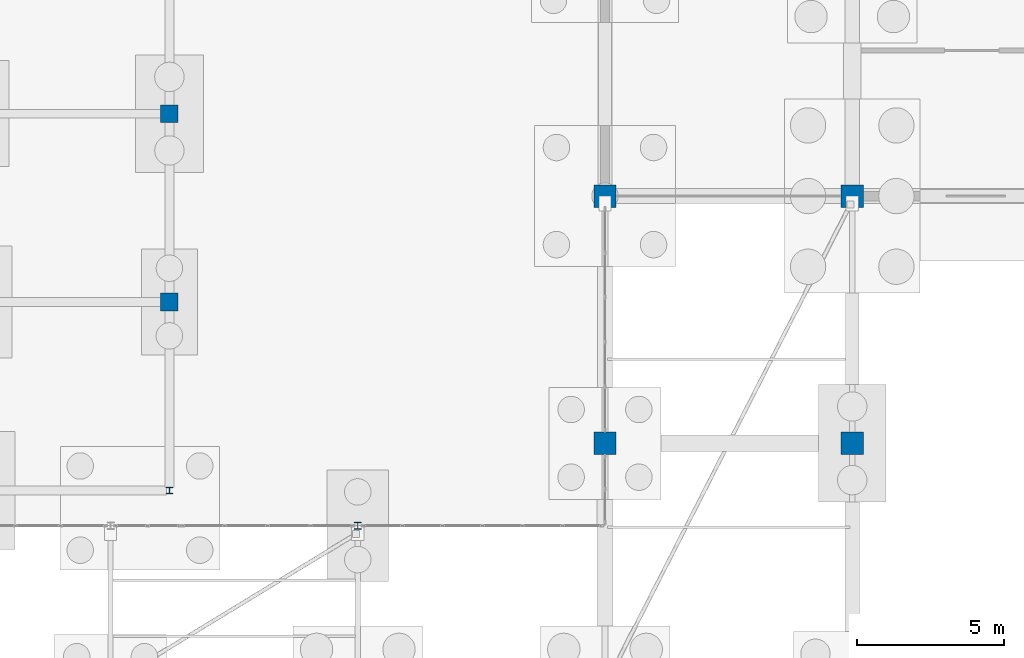
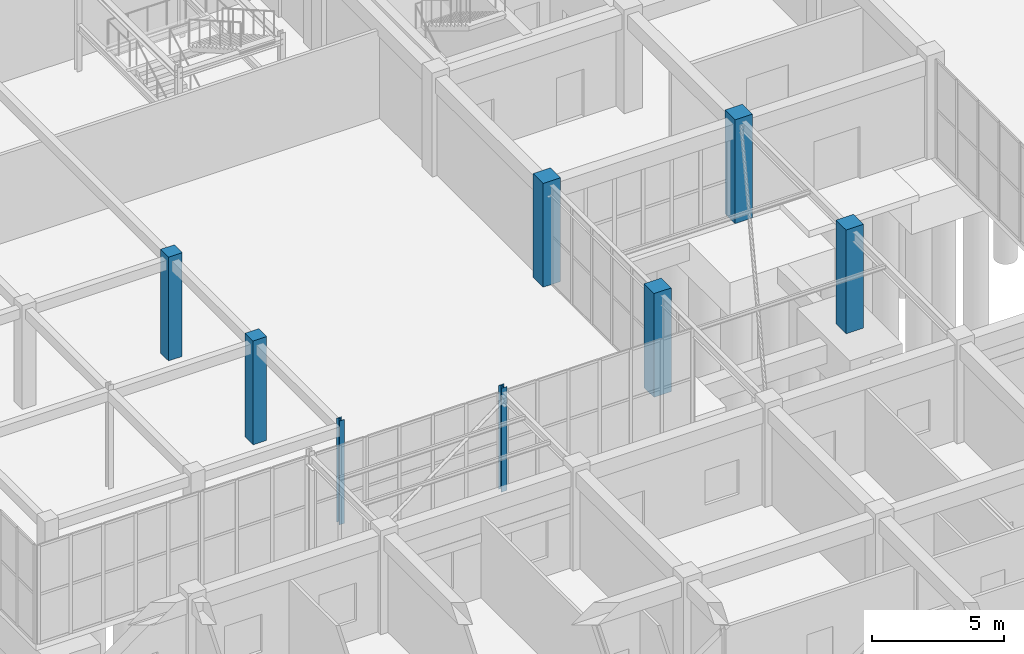
# One storey, part 24 of 192: 8 columns.
"""IFC4 building model written with IfcOpenShell, lengths in metres."""

from ifc_helpers import new_model, si_unit, direction, frame, origin, origin_2d, place, context, subcontext, project, spatial, rectangle, i_section, extrude, material, material_profile, profile_set, type_object, element, save


model = new_model("IFC4")

# Units and contexts
model_context = context("Model", 3, precision=1e-05, world=origin(), true_north=direction((0.0, 1.0)))
body_context = subcontext(model_context, "Body", "Model", "MODEL_VIEW")
ifc_project = project(units=[si_unit("LENGTHUNIT", "METRE"), si_unit("AREAUNIT", "SQUARE_METRE"), si_unit("VOLUMEUNIT", "CUBIC_METRE"), si_unit("PLANEANGLEUNIT", "RADIAN"), si_unit("MASSUNIT", "GRAM", prefix="KILO")], contexts=[model_context])

# Site, building, storey
site_placement = place(None, origin())
site = spatial("IfcSite", under=ifc_project, at=site_placement, CompositionType="ELEMENT")
building_placement = place(site_placement, origin())
building = spatial("IfcBuilding", under=site, at=building_placement, Name="Trelvath General Hospital", CompositionType="ELEMENT")
storey_placement = place(building_placement, origin())
storey = spatial("IfcBuildingStorey", under=building, at=storey_placement, Name="L00", CompositionType="ELEMENT", Elevation=0.0)

# Columns
ifc_material_1 = material(Name="Steel S355", Category="steel")
ifc_material_profile_1 = material_profile(ifc_material_1, i_section(OverallWidth=0.239990234375, OverallDepth=0.22998046875, WebThickness=0.007568359375, FlangeThickness=0.011962890625, at=origin_2d()), Name="HEA240")
ifc_profile_set_1 = profile_set([ifc_material_profile_1], Name="Steel S355")
column_type_1 = type_object("IfcColumnType", Name="BridgeColumn HEA240", PredefinedType="COLUMN", material=ifc_profile_set_1)
column_1_placement = place(storey_placement, frame((67.199951171875, 30.800048828125, 0.0), z_axis=(0.0, 0.0, 1.0), x_axis=(1.0, 0.0, 0.0)))
element("IfcColumn", 1, at=column_1_placement, inside=storey, type_object=column_type_1, Name="Bridge Portal Column BC-02 L00", PredefinedType="COLUMN", context=body_context, shape_type="SweptSolid", body=[
    extrude(i_section(OverallWidth=0.239990234375, OverallDepth=0.22998046875, WebThickness=0.007568359375, FlangeThickness=0.011962890625, at=origin_2d()), origin(), (0.0, 0.0, 1.0), 4.800048828125),
])
ifc_material_2 = material(Name="Concrete C40/50", Category="concrete")
ifc_material_profile_2 = material_profile(ifc_material_2, rectangle(XDim=0.60009765625, YDim=0.60009765625, at=origin_2d()), Name="RC600x600")
ifc_profile_set_2 = profile_set([ifc_material_profile_2], Name="Concrete C40/50")
column_type_2 = type_object("IfcColumnType", Name="Column RC600", PredefinedType="COLUMN", material=ifc_profile_set_2)
for number, where, z_axis, x_axis, name in (
    (2, (60.800048828125, 38.39990234375, 0.0), (0.0, 0.0, 1.0), (1.0, 0.0, 0.0), "Cube Interior Column CC-W37 L00"),
    (3, (60.800048828125, 44.800048828125, 0.0), (0.0, 0.0, 1.0), (1.0, 0.0, 0.0), "Cube Interior Column CC-W38 L00"),
):
    element("IfcColumn", number, at=place(storey_placement, frame(where, z_axis=z_axis, x_axis=x_axis)), inside=storey, type_object=column_type_2, Name=name, PredefinedType="COLUMN", context=body_context, shape_type="SweptSolid", body=[
        extrude(rectangle(XDim=0.60009765625, YDim=0.60009765625, at=origin_2d()), origin(), (0.0, 0.0, 1.0), 4.800048828125),
    ])
ifc_material_3 = material(Name="Concrete C40/50", Category="concrete")
ifc_material_profile_3 = material_profile(ifc_material_3, rectangle(XDim=0.760009765625, YDim=0.760009765625, at=origin_2d()), Name="RC760x760")
ifc_profile_set_3 = profile_set([ifc_material_profile_3], Name="Concrete C40/50")
column_type_3 = type_object("IfcColumnType", Name="Column RC760", PredefinedType="COLUMN", material=ifc_profile_set_3)
for number, where, z_axis, x_axis, name in (
    (4, (75.60009765625, 33.60009765625, 0.0), (0.0, 0.0, 1.0), (1.0, 0.0, 0.0), "Column C-10E L00"),
    (5, (75.60009765625, 42.0, 0.0), (0.0, 0.0, 1.0), (1.0, 0.0, 0.0), "Column C-10F L00"),
    (6, (84.0, 33.60009765625, 0.0), (0.0, 0.0, 1.0), (1.0, 0.0, 0.0), "Column C-11E L00"),
    (7, (84.0, 42.0, 0.0), (0.0, 0.0, 1.0), (1.0, 0.0, 0.0), "Column C-11F L00"),
):
    element("IfcColumn", number, at=place(storey_placement, frame(where, z_axis=z_axis, x_axis=x_axis)), inside=storey, type_object=column_type_3, Name=name, PredefinedType="COLUMN", context=body_context, shape_type="SweptSolid", body=[
        extrude(rectangle(XDim=0.760009765625, YDim=0.760009765625, at=origin_2d()), origin(), (0.0, 0.0, 1.0), 4.800048828125),
    ])
ifc_material_4 = material(Name="Steel S355", Category="steel")
ifc_material_profile_4 = material_profile(ifc_material_4, i_section(OverallWidth=0.219970703125, OverallDepth=0.219970703125, WebThickness=0.009521484375, FlangeThickness=0.01611328125, at=origin_2d()), Name="HEB220")
ifc_profile_set_4 = profile_set([ifc_material_profile_4], Name="Steel S355")
column_type_4 = type_object("IfcColumnType", Name="CubePost HEB220", PredefinedType="COLUMN", material=ifc_profile_set_4)
column_2_placement = place(storey_placement, frame((60.800048828125, 32.0, 0.0), z_axis=(0.0, 0.0, 1.0), x_axis=(1.0, 0.0, 0.0)))
element("IfcColumn", 8, at=column_2_placement, inside=storey, type_object=column_type_4, Name="Cube Interior Column CC-W36 L00", PredefinedType="COLUMN", context=body_context, shape_type="SweptSolid", body=[
    extrude(i_section(OverallWidth=0.219970703125, OverallDepth=0.219970703125, WebThickness=0.009521484375, FlangeThickness=0.01611328125, at=origin_2d()), origin(), (0.0, 0.0, 1.0), 4.800048828125),
])

save(model, "model.ifc")
